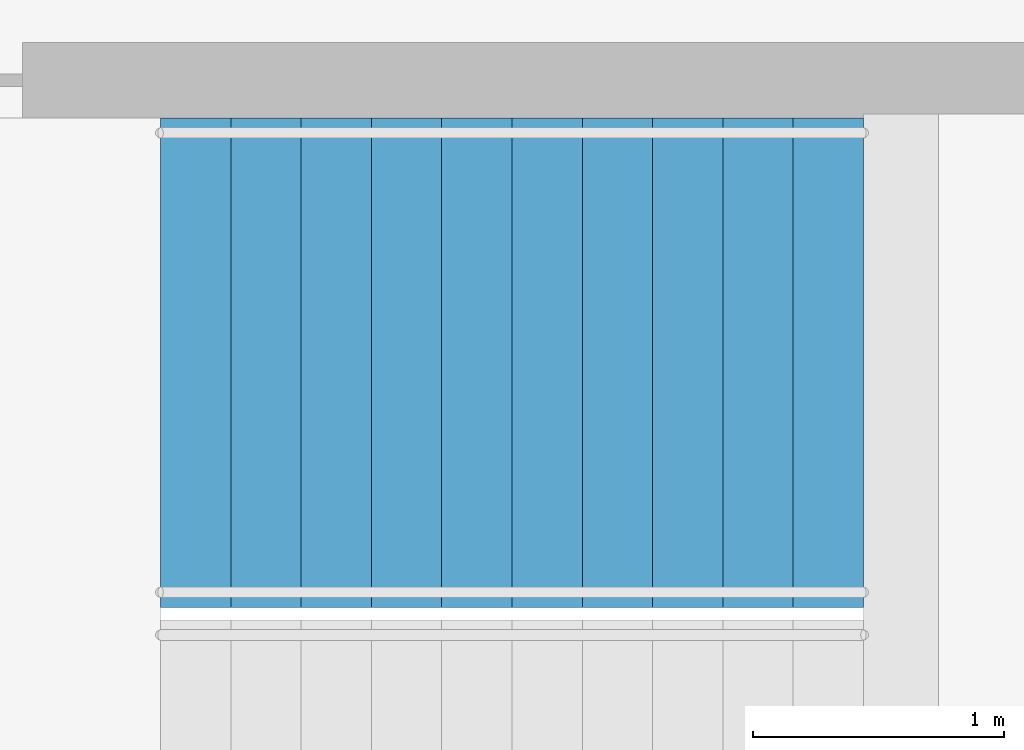
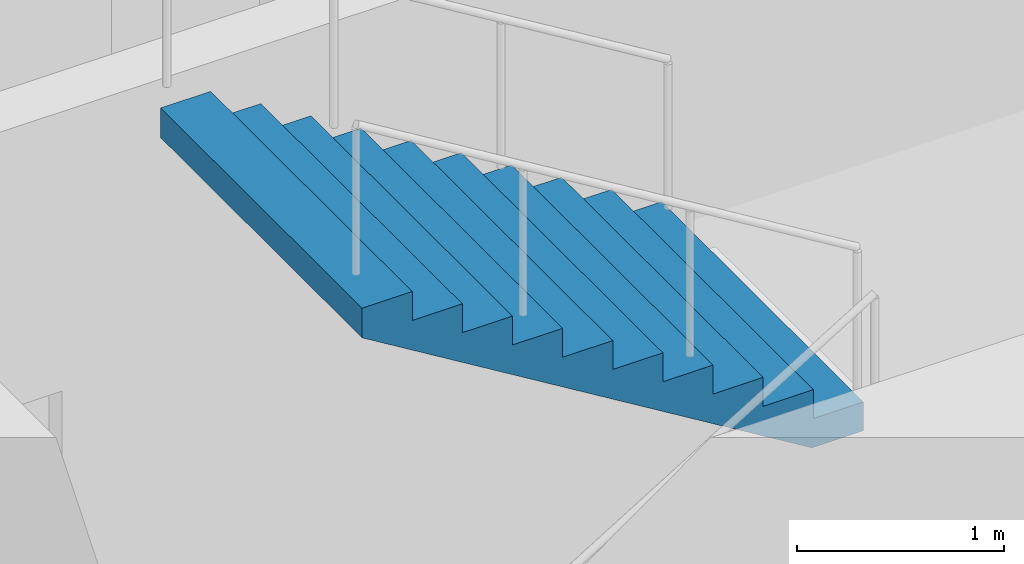
# One storey, part 21 of 24: 1 stair flight, 1 element without a shape of its own.
"""IFC4 building model written with IfcOpenShell, lengths in metres."""

from ifc_helpers import new_model, si_unit, direction, frame, origin, place, context, subcontext, project, spatial, triangles, material, type_object, element, aggregate, save


model = new_model("IFC4")

# Units and contexts
model_context = context("Model", 3, precision=1e-05, world=origin(), true_north=direction((0.0, 1.0)))
body_context = subcontext(model_context, "Body", "Model", "MODEL_VIEW")
ifc_project = project(units=[si_unit("LENGTHUNIT", "METRE"), si_unit("AREAUNIT", "SQUARE_METRE"), si_unit("VOLUMEUNIT", "CUBIC_METRE"), si_unit("PLANEANGLEUNIT", "RADIAN"), si_unit("MASSUNIT", "GRAM", prefix="KILO")], contexts=[model_context])

# Site, building, storey
site_placement = place(None, origin())
site = spatial("IfcSite", under=ifc_project, at=site_placement, CompositionType="ELEMENT")
building_placement = place(site_placement, origin())
building = spatial("IfcBuilding", under=site, at=building_placement, Name="Orbita Commons", CompositionType="ELEMENT")
storey_placement = place(building_placement, frame((0.0, 0.0, 35.199951171875)))
storey = spatial("IfcBuildingStorey", under=building, at=storey_placement, Name="L08", CompositionType="ELEMENT", Elevation=35.199951171875)

# Stair, stair flight
ifc_material_1 = material(Name="Precast concrete C40/50", Category="concrete")
stair_type = type_object("IfcStairType", Name="Exit stair S1 2 flights 11 risers 170", PredefinedType="HALF_TURN_STAIR", material=ifc_material_1)
stair_placement = place(storey_placement, origin())
stair = element("IfcStair", 1, at=stair_placement, inside=storey, type_object=stair_type, Name="Exit stair S1 L08", PredefinedType="HALF_TURN_STAIR")
ifc_material_2 = material(Name="Precast concrete C40/50", Category="concrete")
stair_flight_type = type_object("IfcStairFlightType", Name="Stair flight 11 risers 170 x 280", PredefinedType="STRAIGHT", material=ifc_material_2)
stair_flight_placement = place(storey_placement, frame((23.25, 29.27490234375, 1.875), z_axis=(0.0, 0.0, 1.0), x_axis=(-1.0, 0.0, 0.0)))
stair_flight = element("IfcStairFlight", 2, at=stair_flight_placement, type_object=stair_flight_type, Name="S1 flight 2", NumberOfRisers=11, NumberOfTreads=10, PredefinedType="STRAIGHT", RiserHeight=0.170454545, TreadLength=0.28, context=body_context, shape_type="Tessellation", body=[
    triangles([(0.0, 0.974976, 0.0), (0.0, 0.974976, 0.021307), (0.0, 0.81248, 0.021307), (0.0, 0.81248, 0.0), (0.0, 0.649984, 0.021307), (0.0, 0.649984, 0.0), (0.0, 0.487488, 0.021307), (0.0, 0.487488, 0.0), (0.0, 0.324992, 0.021307), (0.0, 0.324992, 0.0), (0.0, 0.162496, 0.021307), (0.0, 0.162496, 0.0), (0.0, 0.0, 0.021307), (0.0, 0.0, 0.0), (0.0, -0.162496, 0.021307), (0.0, -0.162496, 0.0), (0.0, -0.324992, 0.021307), (0.0, -0.324992, 0.0), (0.0, -0.487488, 0.021307), (0.0, -0.487488, 0.0), (0.0, -0.649984, 0.021307), (0.0, -0.649984, 0.0), (0.0, -0.81248, 0.021307), (0.0, -0.81248, 0.0), (0.0, -0.974976, 0.021307), (0.0, -0.974976, 0.0), (0.0, 0.974976, 0.042614), (0.0, 0.81248, 0.042614), (0.0, 0.649984, 0.042614), (0.0, 0.487488, 0.042614), (0.0, 0.324992, 0.042614), (0.0, 0.162496, 0.042614), (0.0, 0.0, 0.042614), (0.0, -0.162496, 0.042614), (0.0, -0.324992, 0.042614), (0.0, -0.487488, 0.042614), (0.0, -0.649984, 0.042614), (0.0, -0.81248, 0.042614), (0.0, -0.974976, 0.042614), (0.0, 0.974976, 0.06392), (0.0, 0.81248, 0.06392), (0.0, 0.649984, 0.06392), (0.0, 0.487488, 0.06392), (0.0, 0.324992, 0.06392), (0.0, 0.162496, 0.06392), (0.0, 0.0, 0.06392), (0.0, -0.162496, 0.06392), (0.0, -0.324992, 0.06392), (0.0, -0.487488, 0.06392), (0.0, -0.649984, 0.06392), (0.0, -0.81248, 0.06392), (0.0, -0.974976, 0.06392), (0.0, 0.974976, 0.085227), (0.0, 0.81248, 0.085227), (0.0, 0.649984, 0.085227), (0.0, 0.487488, 0.085227), (0.0, 0.324992, 0.085227), (0.0, 0.162496, 0.085227), (0.0, 0.0, 0.085227), (0.0, -0.162496, 0.085227), (0.0, -0.324992, 0.085227), (0.0, -0.487488, 0.085227), (0.0, -0.649984, 0.085227), (0.0, -0.81248, 0.085227), (0.0, -0.974976, 0.085227), (0.0, 0.974976, 0.106534), (0.0, 0.81248, 0.106534), (0.0, 0.649984, 0.106534), (0.0, 0.487488, 0.106534), (0.0, 0.324992, 0.106534), (0.0, 0.162496, 0.106534), (0.0, 0.0, 0.106534), (0.0, -0.162496, 0.106534), (0.0, -0.324992, 0.106534), (0.0, -0.487488, 0.106534), (0.0, -0.649984, 0.106534), (0.0, -0.81248, 0.106534), (0.0, -0.974976, 0.106534), (0.0, 0.974976, 0.127841), (0.0, 0.81248, 0.127841), (0.0, 0.649984, 0.127841), (0.0, 0.487488, 0.127841), (0.0, 0.324992, 0.127841), (0.0, 0.162496, 0.127841), (0.0, 0.0, 0.127841), (0.0, -0.162496, 0.127841), (0.0, -0.324992, 0.127841), (0.0, -0.487488, 0.127841), (0.0, -0.649984, 0.127841), (0.0, -0.81248, 0.127841), (0.0, -0.974976, 0.127841), (0.0, 0.974976, 0.149148), (0.0, 0.81248, 0.149148), (0.0, 0.649984, 0.149148), (0.0, 0.487488, 0.149148), (0.0, 0.324992, 0.149148), (0.0, 0.162496, 0.149148), (0.0, 0.0, 0.149148), (0.0, -0.162496, 0.149148), (0.0, -0.324992, 0.149148), (0.0, -0.487488, 0.149148), (0.0, -0.649984, 0.149148), (0.0, -0.81248, 0.149148), (0.0, -0.974976, 0.149148), (0.0, 0.974976, 0.170455), (0.0, 0.81248, 0.170455), (0.0, 0.649984, 0.170455), (0.0, 0.487488, 0.170455), (0.0, 0.324992, 0.170455), (0.0, 0.162496, 0.170455), (0.0, 0.0, 0.170455), (0.0, -0.162496, 0.170455), (0.0, -0.324992, 0.170455), (0.0, -0.487488, 0.170455), (0.0, -0.649984, 0.170455), (0.0, -0.81248, 0.170455), (0.0, -0.974976, 0.170455), (0.28, 0.974976, 0.170455), (0.28, 0.81248, 0.170455), (0.28, 0.649984, 0.170455), (0.28, 0.487488, 0.170455), (0.28, 0.324992, 0.170455), (0.28, 0.162496, 0.170455), (0.28, 0.0, 0.170455), (0.28, -0.162496, 0.170455), (0.28, -0.324992, 0.170455), (0.28, -0.487488, 0.170455), (0.28, -0.649984, 0.170455), (0.28, -0.81248, 0.170455), (0.28, -0.974976, 0.170455), (0.28, 0.974976, 0.340909), (0.28, 0.81248, 0.340909), (0.28, 0.649984, 0.340909), (0.28, 0.487488, 0.340909), (0.28, 0.324992, 0.340909), (0.28, 0.162496, 0.340909), (0.28, 0.0, 0.340909), (0.28, -0.162496, 0.340909), (0.28, -0.324992, 0.340909), (0.28, -0.487488, 0.340909), (0.28, -0.649984, 0.340909), (0.28, -0.81248, 0.340909), (0.28, -0.974976, 0.340909), (0.56, 0.974976, 0.340909), (0.56, 0.81248, 0.340909), (0.56, 0.649984, 0.340909), (0.56, 0.487488, 0.340909), (0.56, 0.324992, 0.340909), (0.56, 0.162496, 0.340909), (0.56, 0.0, 0.340909), (0.56, -0.162496, 0.340909), (0.56, -0.324992, 0.340909), (0.56, -0.487488, 0.340909), (0.56, -0.649984, 0.340909), (0.56, -0.81248, 0.340909), (0.56, -0.974976, 0.340909), (0.56, 0.974976, 0.511364), (0.56, 0.81248, 0.511364), (0.56, 0.649984, 0.511364), (0.56, 0.487488, 0.511364), (0.56, 0.324992, 0.511364), (0.56, 0.162496, 0.511364), (0.56, 0.0, 0.511364), (0.56, -0.162496, 0.511364), (0.56, -0.324992, 0.511364), (0.56, -0.487488, 0.511364), (0.56, -0.649984, 0.511364), (0.56, -0.81248, 0.511364), (0.56, -0.974976, 0.511364), (0.84, 0.974976, 0.511364), (0.84, 0.81248, 0.511364), (0.84, 0.649984, 0.511364), (0.84, 0.487488, 0.511364), (0.84, 0.324992, 0.511364), (0.84, 0.162496, 0.511364), (0.84, 0.0, 0.511364), (0.84, -0.162496, 0.511364), (0.84, -0.324992, 0.511364), (0.84, -0.487488, 0.511364), (0.84, -0.649984, 0.511364), (0.84, -0.81248, 0.511364), (0.84, -0.974976, 0.511364), (0.84, 0.974976, 0.681818), (0.84, 0.81248, 0.681818), (0.84, 0.649984, 0.681818), (0.84, 0.487488, 0.681818), (0.84, 0.324992, 0.681818), (0.84, 0.162496, 0.681818), (0.84, 0.0, 0.681818), (0.84, -0.162496, 0.681818), (0.84, -0.324992, 0.681818), (0.84, -0.487488, 0.681818), (0.84, -0.649984, 0.681818), (0.84, -0.81248, 0.681818), (0.84, -0.974976, 0.681818), (1.12, 0.974976, 0.681818), (1.12, 0.81248, 0.681818), (1.12, 0.649984, 0.681818), (1.12, 0.487488, 0.681818), (1.12, 0.324992, 0.681818), (1.12, 0.162496, 0.681818), (1.12, 0.0, 0.681818), (1.12, -0.162496, 0.681818), (1.12, -0.324992, 0.681818), (1.12, -0.487488, 0.681818), (1.12, -0.649984, 0.681818), (1.12, -0.81248, 0.681818), (1.12, -0.974976, 0.681818), (1.12, 0.974976, 0.852273), (1.12, 0.81248, 0.852273), (1.12, 0.649984, 0.852273), (1.12, 0.487488, 0.852273), (1.12, 0.324992, 0.852273), (1.12, 0.162496, 0.852273), (1.12, 0.0, 0.852273), (1.12, -0.162496, 0.852273), (1.12, -0.324992, 0.852273), (1.12, -0.487488, 0.852273), (1.12, -0.649984, 0.852273), (1.12, -0.81248, 0.852273), (1.12, -0.974976, 0.852273), (1.4, 0.974976, 0.852273), (1.4, 0.81248, 0.852273), (1.4, 0.649984, 0.852273), (1.4, 0.487488, 0.852273), (1.4, 0.324992, 0.852273), (1.4, 0.162496, 0.852273), (1.4, 0.0, 0.852273), (1.4, -0.162496, 0.852273), (1.4, -0.324992, 0.852273), (1.4, -0.487488, 0.852273), (1.4, -0.649984, 0.852273), (1.4, -0.81248, 0.852273), (1.4, -0.974976, 0.852273), (1.4, 0.974976, 1.022727), (1.4, 0.81248, 1.022727), (1.4, 0.649984, 1.022727), (1.4, 0.487488, 1.022727), (1.4, 0.324992, 1.022727), (1.4, 0.162496, 1.022727), (1.4, 0.0, 1.022727), (1.4, -0.162496, 1.022727), (1.4, -0.324992, 1.022727), (1.4, -0.487488, 1.022727), (1.4, -0.649984, 1.022727), (1.4, -0.81248, 1.022727), (1.4, -0.974976, 1.022727), (1.68, 0.974976, 1.022727), (1.68, 0.81248, 1.022727), (1.68, 0.649984, 1.022727), (1.68, 0.487488, 1.022727), (1.68, 0.324992, 1.022727), (1.68, 0.162496, 1.022727), (1.68, 0.0, 1.022727), (1.68, -0.162496, 1.022727), (1.68, -0.324992, 1.022727), (1.68, -0.487488, 1.022727), (1.68, -0.649984, 1.022727), (1.68, -0.81248, 1.022727), (1.68, -0.974976, 1.022727), (1.68, 0.974976, 1.193182), (1.68, 0.81248, 1.193182), (1.68, 0.649984, 1.193182), (1.68, 0.487488, 1.193182), (1.68, 0.324992, 1.193182), (1.68, 0.162496, 1.193182), (1.68, 0.0, 1.193182), (1.68, -0.162496, 1.193182), (1.68, -0.324992, 1.193182), (1.68, -0.487488, 1.193182), (1.68, -0.649984, 1.193182), (1.68, -0.81248, 1.193182), (1.68, -0.974976, 1.193182), (1.96, 0.974976, 1.193182), (1.96, 0.81248, 1.193182), (1.96, 0.649984, 1.193182), (1.96, 0.487488, 1.193182), (1.96, 0.324992, 1.193182), (1.96, 0.162496, 1.193182), (1.96, 0.0, 1.193182), (1.96, -0.162496, 1.193182), (1.96, -0.324992, 1.193182), (1.96, -0.487488, 1.193182), (1.96, -0.649984, 1.193182), (1.96, -0.81248, 1.193182), (1.96, -0.974976, 1.193182), (1.96, 0.974976, 1.363636), (1.96, 0.81248, 1.363636), (1.96, 0.649984, 1.363636), (1.96, 0.487488, 1.363636), (1.96, 0.324992, 1.363636), (1.96, 0.162496, 1.363636), (1.96, 0.0, 1.363636), (1.96, -0.162496, 1.363636), (1.96, -0.324992, 1.363636), (1.96, -0.487488, 1.363636), (1.96, -0.649984, 1.363636), (1.96, -0.81248, 1.363636), (1.96, -0.974976, 1.363636), (2.24, 0.974976, 1.363636), (2.24, 0.81248, 1.363636), (2.24, 0.649984, 1.363636), (2.24, 0.487488, 1.363636), (2.24, 0.324992, 1.363636), (2.24, 0.162496, 1.363636), (2.24, 0.0, 1.363636), (2.24, -0.162496, 1.363636), (2.24, -0.324992, 1.363636), (2.24, -0.487488, 1.363636), (2.24, -0.649984, 1.363636), (2.24, -0.81248, 1.363636), (2.24, -0.974976, 1.363636), (2.24, 0.974976, 1.534091), (2.24, 0.81248, 1.534091), (2.24, 0.649984, 1.534091), (2.24, 0.487488, 1.534091), (2.24, 0.324992, 1.534091), (2.24, 0.162496, 1.534091), (2.24, 0.0, 1.534091), (2.24, -0.162496, 1.534091), (2.24, -0.324992, 1.534091), (2.24, -0.487488, 1.534091), (2.24, -0.649984, 1.534091), (2.24, -0.81248, 1.534091), (2.24, -0.974976, 1.534091), (2.52, 0.974976, 1.534091), (2.52, 0.81248, 1.534091), (2.52, 0.649984, 1.534091), (2.52, 0.487488, 1.534091), (2.52, 0.324992, 1.534091), (2.52, 0.162496, 1.534091), (2.52, 0.0, 1.534091), (2.52, -0.162496, 1.534091), (2.52, -0.324992, 1.534091), (2.52, -0.487488, 1.534091), (2.52, -0.649984, 1.534091), (2.52, -0.81248, 1.534091), (2.52, -0.974976, 1.534091), (2.52, 0.974976, 1.704545), (2.52, 0.81248, 1.704545), (2.52, 0.649984, 1.704545), (2.52, 0.487488, 1.704545), (2.52, 0.324992, 1.704545), (2.52, 0.162496, 1.704545), (2.52, 0.0, 1.704545), (2.52, -0.162496, 1.704545), (2.52, -0.324992, 1.704545), (2.52, -0.487488, 1.704545), (2.52, -0.649984, 1.704545), (2.52, -0.81248, 1.704545), (2.52, -0.974976, 1.704545), (2.8, 0.974976, 1.704545), (2.8, 0.81248, 1.704545), (2.8, 0.649984, 1.704545), (2.8, 0.487488, 1.704545), (2.8, 0.324992, 1.704545), (2.8, 0.162496, 1.704545), (2.8, 0.0, 1.704545), (2.8, -0.162496, 1.704545), (2.8, -0.324992, 1.704545), (2.8, -0.487488, 1.704545), (2.8, -0.649984, 1.704545), (2.8, -0.81248, 1.704545), (2.8, -0.974976, 1.704545), (2.8, 0.974976, 1.682609), (2.8, 0.81248, 1.682609), (2.8, 0.649984, 1.682609), (2.8, 0.487488, 1.682609), (2.8, 0.324992, 1.682609), (2.8, 0.162496, 1.682609), (2.8, 0.0, 1.682609), (2.8, -0.162496, 1.682609), (2.8, -0.324992, 1.682609), (2.8, -0.487488, 1.682609), (2.8, -0.649984, 1.682609), (2.8, -0.81248, 1.682609), (2.8, -0.974976, 1.682609), (2.8, 0.974976, 1.660672), (2.8, 0.81248, 1.660672), (2.8, 0.649984, 1.660672), (2.8, 0.487488, 1.660672), (2.8, 0.324992, 1.660672), (2.8, 0.162496, 1.660672), (2.8, 0.0, 1.660672), (2.8, -0.162496, 1.660672), (2.8, -0.324992, 1.660672), (2.8, -0.487488, 1.660672), (2.8, -0.649984, 1.660672), (2.8, -0.81248, 1.660672), (2.8, -0.974976, 1.660672), (2.8, 0.974976, 1.638735), (2.8, 0.81248, 1.638735), (2.8, 0.649984, 1.638735), (2.8, 0.487488, 1.638735), (2.8, 0.324992, 1.638735), (2.8, 0.162496, 1.638735), (2.8, 0.0, 1.638735), (2.8, -0.162496, 1.638735), (2.8, -0.324992, 1.638735), (2.8, -0.487488, 1.638735), (2.8, -0.649984, 1.638735), (2.8, -0.81248, 1.638735), (2.8, -0.974976, 1.638735), (2.8, 0.974976, 1.616798), (2.8, 0.81248, 1.616798), (2.8, 0.649984, 1.616798), (2.8, 0.487488, 1.616798), (2.8, 0.324992, 1.616798), (2.8, 0.162496, 1.616798), (2.8, 0.0, 1.616798), (2.8, -0.162496, 1.616798), (2.8, -0.324992, 1.616798), (2.8, -0.487488, 1.616798), (2.8, -0.649984, 1.616798), (2.8, -0.81248, 1.616798), (2.8, -0.974976, 1.616798), (2.8, 0.974976, 1.594861), (2.8, 0.81248, 1.594861), (2.8, 0.649984, 1.594861), (2.8, 0.487488, 1.594861), (2.8, 0.324992, 1.594861), (2.8, 0.162496, 1.594861), (2.8, 0.0, 1.594861), (2.8, -0.162496, 1.594861), (2.8, -0.324992, 1.594861), (2.8, -0.487488, 1.594861), (2.8, -0.649984, 1.594861), (2.8, -0.81248, 1.594861), (2.8, -0.974976, 1.594861), (2.8, 0.974976, 1.572925), (2.8, 0.81248, 1.572925), (2.8, 0.649984, 1.572925), (2.8, 0.487488, 1.572925), (2.8, 0.324992, 1.572925), (2.8, 0.162496, 1.572925), (2.8, 0.0, 1.572925), (2.8, -0.162496, 1.572925), (2.8, -0.324992, 1.572925), (2.8, -0.487488, 1.572925), (2.8, -0.649984, 1.572925), (2.8, -0.81248, 1.572925), (2.8, -0.974976, 1.572925), (2.8, 0.974976, 1.550988), (2.8, 0.81248, 1.550988), (2.8, 0.649984, 1.550988), (2.8, 0.487488, 1.550988), (2.8, 0.324992, 1.550988), (2.8, 0.162496, 1.550988), (2.8, 0.0, 1.550988), (2.8, -0.162496, 1.550988), (2.8, -0.324992, 1.550988), (2.8, -0.487488, 1.550988), (2.8, -0.649984, 1.550988), (2.8, -0.81248, 1.550988), (2.8, -0.974976, 1.550988), (2.8, 0.974976, 1.529051), (2.8, 0.81248, 1.529051), (2.8, 0.649984, 1.529051), (2.8, 0.487488, 1.529051), (2.8, 0.324992, 1.529051), (2.8, 0.162496, 1.529051), (2.8, 0.0, 1.529051), (2.8, -0.162496, 1.529051), (2.8, -0.324992, 1.529051), (2.8, -0.487488, 1.529051), (2.8, -0.649984, 1.529051), (2.8, -0.81248, 1.529051), (2.8, -0.974976, 1.529051), (0.288279, 0.974976, 0.0), (0.288279, 0.81248, 0.0), (0.288279, 0.649984, 0.0), (0.288279, 0.487488, 0.0), (0.288279, 0.324992, 0.0), (0.288279, 0.162496, 0.0), (0.288279, 0.0, 0.0), (0.288279, -0.162496, 0.0), (0.288279, -0.324992, 0.0), (0.288279, -0.487488, 0.0), (0.288279, -0.649984, 0.0), (0.288279, -0.81248, 0.0), (0.288279, -0.974976, 0.0)], [[3, 2, 1], [4, 3, 1], [5, 3, 4], [6, 5, 4], [7, 5, 6], [8, 7, 6], [9, 7, 8], [10, 9, 8], [11, 9, 10], [12, 11, 10], [13, 11, 12], [14, 13, 12], [15, 13, 14], [16, 15, 14], [17, 15, 16], [18, 17, 16], [19, 17, 18], [20, 19, 18], [21, 19, 20], [22, 21, 20], [23, 21, 22], [24, 23, 22], [25, 23, 24], [26, 25, 24], [28, 27, 2], [3, 28, 2], [29, 28, 3], [5, 29, 3], [30, 29, 5], [7, 30, 5], [31, 30, 7], [9, 31, 7], [32, 31, 9], [11, 32, 9], [33, 32, 11], [13, 33, 11], [34, 33, 13], [15, 34, 13], [35, 34, 15], [17, 35, 15], [36, 35, 17], [19, 36, 17], [37, 36, 19], [21, 37, 19], [38, 37, 21], [23, 38, 21], [39, 38, 23], [25, 39, 23], [41, 40, 27], [28, 41, 27], [42, 41, 28], [29, 42, 28], [43, 42, 29], [30, 43, 29], [44, 43, 30], [31, 44, 30], [45, 44, 31], [32, 45, 31], [46, 45, 32], [33, 46, 32], [47, 46, 33], [34, 47, 33], [48, 47, 34], [35, 48, 34], [49, 48, 35], [36, 49, 35], [50, 49, 36], [37, 50, 36], [51, 50, 37], [38, 51, 37], [52, 51, 38], [39, 52, 38], [54, 53, 40], [41, 54, 40], [55, 54, 41], [42, 55, 41], [56, 55, 42], [43, 56, 42], [57, 56, 43], [44, 57, 43], [58, 57, 44], [45, 58, 44], [59, 58, 45], [46, 59, 45], [60, 59, 46], [47, 60, 46], [61, 60, 47], [48, 61, 47], [62, 61, 48], [49, 62, 48], [63, 62, 49], [50, 63, 49], [64, 63, 50], [51, 64, 50], [65, 64, 51], [52, 65, 51], [67, 66, 53], [54, 67, 53], [68, 67, 54], [55, 68, 54], [69, 68, 55], [56, 69, 55], [70, 69, 56], [57, 70, 56], [71, 70, 57], [58, 71, 57], [72, 71, 58], [59, 72, 58], [73, 72, 59], [60, 73, 59], [74, 73, 60], [61, 74, 60], [75, 74, 61], [62, 75, 61], [76, 75, 62], [63, 76, 62], [77, 76, 63], [64, 77, 63], [78, 77, 64], [65, 78, 64], [80, 79, 66], [67, 80, 66], [81, 80, 67], [68, 81, 67], [82, 81, 68], [69, 82, 68], [83, 82, 69], [70, 83, 69], [84, 83, 70], [71, 84, 70], [85, 84, 71], [72, 85, 71], [86, 85, 72], [73, 86, 72], [87, 86, 73], [74, 87, 73], [88, 87, 74], [75, 88, 74], [89, 88, 75], [76, 89, 75], [90, 89, 76], [77, 90, 76], [91, 90, 77], [78, 91, 77], [93, 92, 79], [80, 93, 79], [94, 93, 80], [81, 94, 80], [95, 94, 81], [82, 95, 81], [96, 95, 82], [83, 96, 82], [97, 96, 83], [84, 97, 83], [98, 97, 84], [85, 98, 84], [99, 98, 85], [86, 99, 85], [100, 99, 86], [87, 100, 86], [101, 100, 87], [88, 101, 87], [102, 101, 88], [89, 102, 88], [103, 102, 89], [90, 103, 89], [104, 103, 90], [91, 104, 90], [106, 105, 92], [93, 106, 92], [107, 106, 93], [94, 107, 93], [108, 107, 94], [95, 108, 94], [109, 108, 95], [96, 109, 95], [110, 109, 96], [97, 110, 96], [111, 110, 97], [98, 111, 97], [112, 111, 98], [99, 112, 98], [113, 112, 99], [100, 113, 99], [114, 113, 100], [101, 114, 100], [115, 114, 101], [102, 115, 101], [116, 115, 102], [103, 116, 102], [117, 116, 103], [104, 117, 103], [119, 118, 105], [106, 119, 105], [120, 119, 106], [107, 120, 106], [121, 120, 107], [108, 121, 107], [122, 121, 108], [109, 122, 108], [123, 122, 109], [110, 123, 109], [124, 123, 110], [111, 124, 110], [125, 124, 111], [112, 125, 111], [126, 125, 112], [113, 126, 112], [127, 126, 113], [114, 127, 113], [128, 127, 114], [115, 128, 114], [129, 128, 115], [116, 129, 115], [130, 129, 116], [117, 130, 116], [132, 131, 118], [119, 132, 118], [133, 132, 119], [120, 133, 119], [134, 133, 120], [121, 134, 120], [135, 134, 121], [122, 135, 121], [136, 135, 122], [123, 136, 122], [137, 136, 123], [124, 137, 123], [138, 137, 124], [125, 138, 124], [139, 138, 125], [126, 139, 125], [140, 139, 126], [127, 140, 126], [141, 140, 127], [128, 141, 127], [142, 141, 128], [129, 142, 128], [143, 142, 129], [130, 143, 129], [145, 144, 131], [132, 145, 131], [146, 145, 132], [133, 146, 132], [147, 146, 133], [134, 147, 133], [148, 147, 134], [135, 148, 134], [149, 148, 135], [136, 149, 135], [150, 149, 136], [137, 150, 136], [151, 150, 137], [138, 151, 137], [152, 151, 138], [139, 152, 138], [153, 152, 139], [140, 153, 139], [154, 153, 140], [141, 154, 140], [155, 154, 141], [142, 155, 141], [156, 155, 142], [143, 156, 142], [158, 157, 144], [145, 158, 144], [159, 158, 145], [146, 159, 145], [160, 159, 146], [147, 160, 146], [161, 160, 147], [148, 161, 147], [162, 161, 148], [149, 162, 148], [163, 162, 149], [150, 163, 149], [164, 163, 150], [151, 164, 150], [165, 164, 151], [152, 165, 151], [166, 165, 152], [153, 166, 152], [167, 166, 153], [154, 167, 153], [168, 167, 154], [155, 168, 154], [169, 168, 155], [156, 169, 155], [171, 170, 157], [158, 171, 157], [172, 171, 158], [159, 172, 158], [173, 172, 159], [160, 173, 159], [174, 173, 160], [161, 174, 160], [175, 174, 161], [162, 175, 161], [176, 175, 162], [163, 176, 162], [177, 176, 163], [164, 177, 163], [178, 177, 164], [165, 178, 164], [179, 178, 165], [166, 179, 165], [180, 179, 166], [167, 180, 166], [181, 180, 167], [168, 181, 167], [182, 181, 168], [169, 182, 168], [184, 183, 170], [171, 184, 170], [185, 184, 171], [172, 185, 171], [186, 185, 172], [173, 186, 172], [187, 186, 173], [174, 187, 173], [188, 187, 174], [175, 188, 174], [189, 188, 175], [176, 189, 175], [190, 189, 176], [177, 190, 176], [191, 190, 177], [178, 191, 177], [192, 191, 178], [179, 192, 178], [193, 192, 179], [180, 193, 179], [194, 193, 180], [181, 194, 180], [195, 194, 181], [182, 195, 181], [197, 196, 183], [184, 197, 183], [198, 197, 184], [185, 198, 184], [199, 198, 185], [186, 199, 185], [200, 199, 186], [187, 200, 186], [201, 200, 187], [188, 201, 187], [202, 201, 188], [189, 202, 188], [203, 202, 189], [190, 203, 189], [204, 203, 190], [191, 204, 190], [205, 204, 191], [192, 205, 191], [206, 205, 192], [193, 206, 192], [207, 206, 193], [194, 207, 193], [208, 207, 194], [195, 208, 194], [210, 209, 196], [197, 210, 196], [211, 210, 197], [198, 211, 197], [212, 211, 198], [199, 212, 198], [213, 212, 199], [200, 213, 199], [214, 213, 200], [201, 214, 200], [215, 214, 201], [202, 215, 201], [216, 215, 202], [203, 216, 202], [217, 216, 203], [204, 217, 203], [218, 217, 204], [205, 218, 204], [219, 218, 205], [206, 219, 205], [220, 219, 206], [207, 220, 206], [221, 220, 207], [208, 221, 207], [223, 222, 209], [210, 223, 209], [224, 223, 210], [211, 224, 210], [225, 224, 211], [212, 225, 211], [226, 225, 212], [213, 226, 212], [227, 226, 213], [214, 227, 213], [228, 227, 214], [215, 228, 214], [229, 228, 215], [216, 229, 215], [230, 229, 216], [217, 230, 216], [231, 230, 217], [218, 231, 217], [232, 231, 218], [219, 232, 218], [233, 232, 219], [220, 233, 219], [234, 233, 220], [221, 234, 220], [236, 235, 222], [223, 236, 222], [237, 236, 223], [224, 237, 223], [238, 237, 224], [225, 238, 224], [239, 238, 225], [226, 239, 225], [240, 239, 226], [227, 240, 226], [241, 240, 227], [228, 241, 227], [242, 241, 228], [229, 242, 228], [243, 242, 229], [230, 243, 229], [244, 243, 230], [231, 244, 230], [245, 244, 231], [232, 245, 231], [246, 245, 232], [233, 246, 232], [247, 246, 233], [234, 247, 233], [249, 248, 235], [236, 249, 235], [250, 249, 236], [237, 250, 236], [251, 250, 237], [238, 251, 237], [252, 251, 238], [239, 252, 238], [253, 252, 239], [240, 253, 239], [254, 253, 240], [241, 254, 240], [255, 254, 241], [242, 255, 241], [256, 255, 242], [243, 256, 242], [257, 256, 243], [244, 257, 243], [258, 257, 244], [245, 258, 244], [259, 258, 245], [246, 259, 245], [260, 259, 246], [247, 260, 246], [262, 261, 248], [249, 262, 248], [263, 262, 249], [250, 263, 249], [264, 263, 250], [251, 264, 250], [265, 264, 251], [252, 265, 251], [266, 265, 252], [253, 266, 252], [267, 266, 253], [254, 267, 253], [268, 267, 254], [255, 268, 254], [269, 268, 255], [256, 269, 255], [270, 269, 256], [257, 270, 256], [271, 270, 257], [258, 271, 257], [272, 271, 258], [259, 272, 258], [273, 272, 259], [260, 273, 259], [275, 274, 261], [262, 275, 261], [276, 275, 262], [263, 276, 262], [277, 276, 263], [264, 277, 263], [278, 277, 264], [265, 278, 264], [279, 278, 265], [266, 279, 265], [280, 279, 266], [267, 280, 266], [281, 280, 267], [268, 281, 267], [282, 281, 268], [269, 282, 268], [283, 282, 269], [270, 283, 269], [284, 283, 270], [271, 284, 270], [285, 284, 271], [272, 285, 271], [286, 285, 272], [273, 286, 272], [288, 287, 274], [275, 288, 274], [289, 288, 275], [276, 289, 275], [290, 289, 276], [277, 290, 276], [291, 290, 277], [278, 291, 277], [292, 291, 278], [279, 292, 278], [293, 292, 279], [280, 293, 279], [294, 293, 280], [281, 294, 280], [295, 294, 281], [282, 295, 281], [296, 295, 282], [283, 296, 282], [297, 296, 283], [284, 297, 283], [298, 297, 284], [285, 298, 284], [299, 298, 285], [286, 299, 285], [301, 300, 287], [288, 301, 287], [302, 301, 288], [289, 302, 288], [303, 302, 289], [290, 303, 289], [304, 303, 290], [291, 304, 290], [305, 304, 291], [292, 305, 291], [306, 305, 292], [293, 306, 292], [307, 306, 293], [294, 307, 293], [308, 307, 294], [295, 308, 294], [309, 308, 295], [296, 309, 295], [310, 309, 296], [297, 310, 296], [311, 310, 297], [298, 311, 297], [312, 311, 298], [299, 312, 298], [314, 313, 300], [301, 314, 300], [315, 314, 301], [302, 315, 301], [316, 315, 302], [303, 316, 302], [317, 316, 303], [304, 317, 303], [318, 317, 304], [305, 318, 304], [319, 318, 305], [306, 319, 305], [320, 319, 306], [307, 320, 306], [321, 320, 307], [308, 321, 307], [322, 321, 308], [309, 322, 308], [323, 322, 309], [310, 323, 309], [324, 323, 310], [311, 324, 310], [325, 324, 311], [312, 325, 311], [327, 326, 313], [314, 327, 313], [328, 327, 314], [315, 328, 314], [329, 328, 315], [316, 329, 315], [330, 329, 316], [317, 330, 316], [331, 330, 317], [318, 331, 317], [332, 331, 318], [319, 332, 318], [333, 332, 319], [320, 333, 319], [334, 333, 320], [321, 334, 320], [335, 334, 321], [322, 335, 321], [336, 335, 322], [323, 336, 322], [337, 336, 323], [324, 337, 323], [338, 337, 324], [325, 338, 324], [340, 339, 326], [327, 340, 326], [341, 340, 327], [328, 341, 327], [342, 341, 328], [329, 342, 328], [343, 342, 329], [330, 343, 329], [344, 343, 330], [331, 344, 330], [345, 344, 331], [332, 345, 331], [346, 345, 332], [333, 346, 332], [347, 346, 333], [334, 347, 333], [348, 347, 334], [335, 348, 334], [349, 348, 335], [336, 349, 335], [350, 349, 336], [337, 350, 336], [351, 350, 337], [338, 351, 337], [353, 352, 339], [340, 353, 339], [354, 353, 340], [341, 354, 340], [355, 354, 341], [342, 355, 341], [356, 355, 342], [343, 356, 342], [357, 356, 343], [344, 357, 343], [358, 357, 344], [345, 358, 344], [359, 358, 345], [346, 359, 345], [360, 359, 346], [347, 360, 346], [361, 360, 347], [348, 361, 347], [362, 361, 348], [349, 362, 348], [363, 362, 349], [350, 363, 349], [364, 363, 350], [351, 364, 350], [366, 365, 352], [353, 366, 352], [367, 366, 353], [354, 367, 353], [368, 367, 354], [355, 368, 354], [369, 368, 355], [356, 369, 355], [370, 369, 356], [357, 370, 356], [371, 370, 357], [358, 371, 357], [372, 371, 358], [359, 372, 358], [373, 372, 359], [360, 373, 359], [374, 373, 360], [361, 374, 360], [375, 374, 361], [362, 375, 361], [376, 375, 362], [363, 376, 362], [377, 376, 363], [364, 377, 363], [379, 378, 365], [366, 379, 365], [380, 379, 366], [367, 380, 366], [381, 380, 367], [368, 381, 367], [382, 381, 368], [369, 382, 368], [383, 382, 369], [370, 383, 369], [384, 383, 370], [371, 384, 370], [385, 384, 371], [372, 385, 371], [386, 385, 372], [373, 386, 372], [387, 386, 373], [374, 387, 373], [388, 387, 374], [375, 388, 374], [389, 388, 375], [376, 389, 375], [390, 389, 376], [377, 390, 376], [392, 391, 378], [379, 392, 378], [393, 392, 379], [380, 393, 379], [394, 393, 380], [381, 394, 380], [395, 394, 381], [382, 395, 381], [396, 395, 382], [383, 396, 382], [397, 396, 383], [384, 397, 383], [398, 397, 384], [385, 398, 384], [399, 398, 385], [386, 399, 385], [400, 399, 386], [387, 400, 386], [401, 400, 387], [388, 401, 387], [402, 401, 388], [389, 402, 388], [403, 402, 389], [390, 403, 389], [405, 404, 391], [392, 405, 391], [406, 405, 392], [393, 406, 392], [407, 406, 393], [394, 407, 393], [408, 407, 394], [395, 408, 394], [409, 408, 395], [396, 409, 395], [410, 409, 396], [397, 410, 396], [411, 410, 397], [398, 411, 397], [412, 411, 398], [399, 412, 398], [413, 412, 399], [400, 413, 399], [414, 413, 400], [401, 414, 400], [415, 414, 401], [402, 415, 401], [416, 415, 402], [403, 416, 402], [418, 417, 404], [405, 418, 404], [419, 418, 405], [406, 419, 405], [420, 419, 406], [407, 420, 406], [421, 420, 407], [408, 421, 407], [422, 421, 408], [409, 422, 408], [423, 422, 409], [410, 423, 409], [424, 423, 410], [411, 424, 410], [425, 424, 411], [412, 425, 411], [426, 425, 412], [413, 426, 412], [427, 426, 413], [414, 427, 413], [428, 427, 414], [415, 428, 414], [429, 428, 415], [416, 429, 415], [431, 430, 417], [418, 431, 417], [432, 431, 418], [419, 432, 418], [433, 432, 419], [420, 433, 419], [434, 433, 420], [421, 434, 420], [435, 434, 421], [422, 435, 421], [436, 435, 422], [423, 436, 422], [437, 436, 423], [424, 437, 423], [438, 437, 424], [425, 438, 424], [439, 438, 425], [426, 439, 425], [440, 439, 426], [427, 440, 426], [441, 440, 427], [428, 441, 427], [442, 441, 428], [429, 442, 428], [444, 443, 430], [431, 444, 430], [445, 444, 431], [432, 445, 431], [446, 445, 432], [433, 446, 432], [447, 446, 433], [434, 447, 433], [448, 447, 434], [435, 448, 434], [449, 448, 435], [436, 449, 435], [450, 449, 436], [437, 450, 436], [451, 450, 437], [438, 451, 437], [452, 451, 438], [439, 452, 438], [453, 452, 439], [440, 453, 439], [454, 453, 440], [441, 454, 440], [455, 454, 441], [442, 455, 441], [457, 456, 443], [444, 457, 443], [458, 457, 444], [445, 458, 444], [459, 458, 445], [446, 459, 445], [460, 459, 446], [447, 460, 446], [461, 460, 447], [448, 461, 447], [462, 461, 448], [449, 462, 448], [463, 462, 449], [450, 463, 449], [464, 463, 450], [451, 464, 450], [465, 464, 451], [452, 465, 451], [466, 465, 452], [453, 466, 452], [467, 466, 453], [454, 467, 453], [468, 467, 454], [455, 468, 454], [470, 469, 456], [457, 470, 456], [471, 470, 457], [458, 471, 457], [472, 471, 458], [459, 472, 458], [473, 472, 459], [460, 473, 459], [474, 473, 460], [461, 474, 460], [475, 474, 461], [462, 475, 461], [476, 475, 462], [463, 476, 462], [477, 476, 463], [464, 477, 463], [478, 477, 464], [465, 478, 464], [479, 478, 465], [466, 479, 465], [480, 479, 466], [467, 480, 466], [481, 480, 467], [468, 481, 467], [4, 1, 469], [470, 4, 469], [6, 4, 470], [471, 6, 470], [8, 6, 471], [472, 8, 471], [10, 8, 472], [473, 10, 472], [12, 10, 473], [474, 12, 473], [14, 12, 474], [475, 14, 474], [16, 14, 475], [476, 16, 475], [18, 16, 476], [477, 18, 476], [20, 18, 477], [478, 20, 477], [22, 20, 478], [479, 22, 478], [24, 22, 479], [480, 24, 479], [26, 24, 480], [481, 26, 480], [456, 469, 1], [26, 481, 468], [443, 456, 1], [26, 468, 455], [430, 443, 1], [26, 455, 442], [417, 430, 1], [26, 442, 429], [404, 417, 1], [26, 429, 416], [391, 404, 1], [26, 416, 403], [378, 391, 1], [26, 403, 390], [365, 378, 1], [26, 390, 377], [339, 352, 365], [377, 364, 351], [326, 339, 365], [377, 351, 338], [300, 313, 326], [338, 325, 312], [300, 326, 365], [377, 338, 312], [274, 287, 300], [312, 299, 286], [274, 300, 365], [377, 312, 286], [248, 261, 274], [286, 273, 260], [248, 274, 365], [377, 286, 260], [222, 235, 248], [260, 247, 234], [222, 248, 365], [377, 260, 234], [196, 209, 222], [234, 221, 208], [196, 222, 365], [377, 234, 208], [170, 183, 196], [208, 195, 182], [170, 196, 365], [377, 208, 182], [144, 157, 170], [182, 169, 156], [144, 170, 365], [377, 182, 156], [118, 131, 144], [156, 143, 130], [118, 144, 365], [377, 156, 130], [118, 365, 1], [26, 377, 130], [92, 105, 118], [130, 117, 104], [79, 92, 118], [130, 104, 91], [66, 79, 118], [130, 91, 78], [53, 66, 118], [130, 78, 65], [40, 53, 118], [130, 65, 52], [27, 40, 118], [130, 52, 39], [2, 27, 118], [130, 39, 25], [1, 2, 118], [130, 25, 26]], closed=True),
])
aggregate(stair, [stair_flight])

save(model, "model.ifc")
